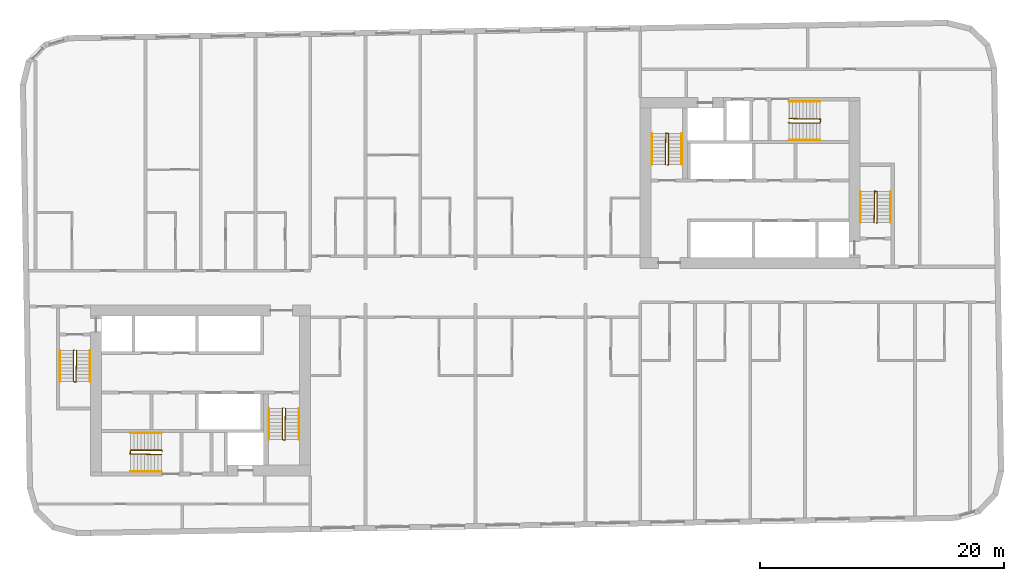
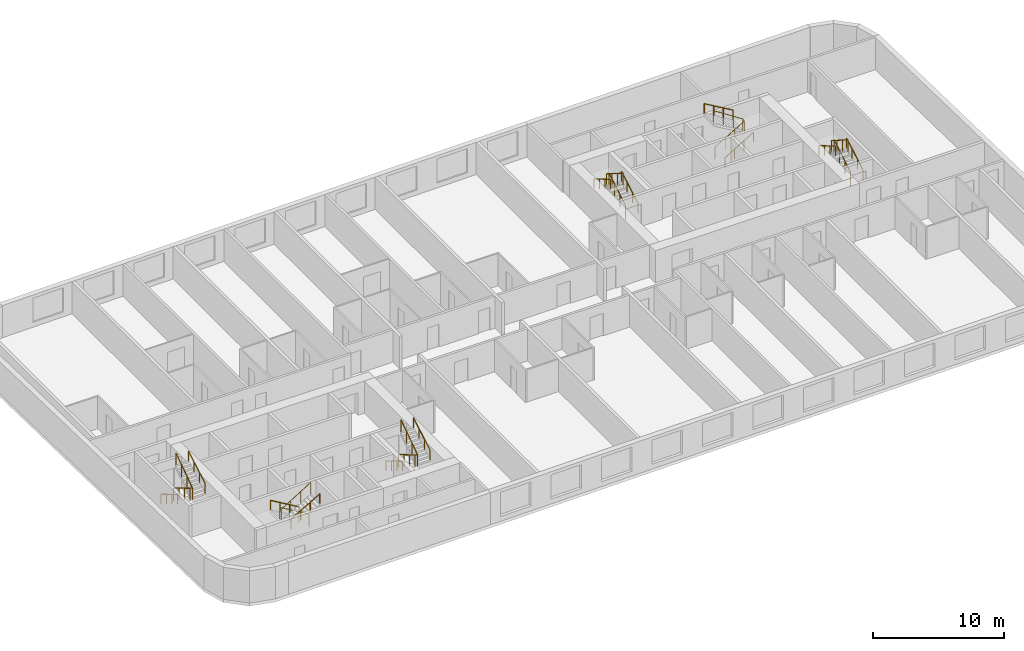
# One storey, part 11 of 11: 18 railings.
"""IFC4 building model written with IfcOpenShell, lengths in metres."""

from ifc_helpers import new_model, si_unit, direction, frame, origin, origin_2d, place, context, subcontext, project, spatial, circle, extrude, material, type_object, element, save


model = new_model("IFC4")

# Units and contexts
model_context = context("Model", 3, precision=1e-05, world=origin(), true_north=direction((0.0, 1.0)))
body_context = subcontext(model_context, "Body", "Model", "MODEL_VIEW")
ifc_project = project(units=[si_unit("LENGTHUNIT", "METRE"), si_unit("AREAUNIT", "SQUARE_METRE"), si_unit("VOLUMEUNIT", "CUBIC_METRE"), si_unit("PLANEANGLEUNIT", "RADIAN"), si_unit("MASSUNIT", "GRAM", prefix="KILO")], contexts=[model_context])

# Site, building, storey
site_placement = place(None, origin())
site = spatial("IfcSite", under=ifc_project, at=site_placement, CompositionType="ELEMENT")
building_placement = place(site_placement, origin())
building = spatial("IfcBuilding", under=site, at=building_placement, Name="Kajstack Hotel Tower", CompositionType="ELEMENT")
storey_placement = place(building_placement, frame((0.0, 0.0, 254.0)))
storey = spatial("IfcBuildingStorey", under=building, at=storey_placement, Name="L63", CompositionType="ELEMENT", Elevation=254.0)

# Railings
ifc_material = material(Name="Steel S355J2", Category="steel")
railing_type_1 = type_object("IfcRailingType", Name="Stair guard 1100", PredefinedType="GUARDRAIL", material=ifc_material)
railing_1_placement = place(storey_placement, frame((-32.85009765625, -5.199951171875, 0.0)))
element("IfcRailing", 1, at=railing_1_placement, inside=storey, type_object=railing_type_1, Name="L63 W1 stair guard 1", PredefinedType="GUARDRAIL", context=body_context, shape_type="SweptSolid", body=[
    extrude(circle(Radius=0.02392578125, at=origin_2d()), frame((0.0, 0.0, 1.076171875), z_axis=(-0.277450376394, -0.278810427259, 0.919394384522), x_axis=(0.708833529934, -0.705375805398, 0.0)), (0.0, 0.0, 1.0), 0.179443359375),
    extrude(circle(Radius=0.02392578125, at=origin_2d()), frame((-0.0498046875, -0.050048828125, 1.2412109375), z_axis=(0.0, -0.861560626758, 0.507654692109), x_axis=(1.0, 0.0, 0.0)), (0.0, 0.0, 1.0), 2.925048828125),
    extrude(circle(Radius=0.02392578125, at=origin_2d()), frame((-0.0498046875, -2.570068359375, 2.72607421875), z_axis=(0.970072785993, -0.242814311512, 0.0), x_axis=(0.242814311512, 0.970072785993, 0.0)), (0.0, 0.0, 1.0), 0.2060546875),
    extrude(circle(Radius=0.02392578125, at=origin_2d()), frame((0.150146484375, -2.6201171875, 2.72607421875), z_axis=(0.016384601254, 0.84136925563, 0.540212292087), x_axis=(-0.999810440751, 0.019470042781, 0.0)), (0.0, 0.0, 1.0), 3.0546875),
    extrude(circle(Radius=0.02099609375, at=origin_2d()), origin(), (0.0, 0.0, 1.0), 1.052001953125),
    extrude(circle(Radius=0.02099609375, at=origin_2d()), frame((-0.0498046875, -0.050048828125, 0.1650390625)), (0.0, 0.0, 1.0), 1.052001953125),
    extrude(circle(Radius=0.02099609375, at=origin_2d()), frame((-0.0498046875, -0.89013671875, 0.659912109375)), (0.0, 0.0, 1.0), 1.052001953125),
    extrude(circle(Radius=0.02099609375, at=origin_2d()), frame((-0.0498046875, -1.72998046875, 1.155029296875)), (0.0, 0.0, 1.0), 1.052001953125),
    extrude(circle(Radius=0.02099609375, at=origin_2d()), frame((-0.0498046875, -2.570068359375, 1.64990234375)), (0.0, 0.0, 1.0), 1.052001953125),
    extrude(circle(Radius=0.02099609375, at=origin_2d()), frame((0.150146484375, -2.6201171875, 1.64990234375)), (0.0, 0.0, 1.0), 1.052001953125),
    extrude(circle(Radius=0.02099609375, at=origin_2d()), frame((0.166748046875, -1.763427734375, 2.199951171875)), (0.0, 0.0, 1.0), 1.052001953125),
    extrude(circle(Radius=0.02099609375, at=origin_2d()), frame((0.18359375, -0.90673828125, 2.75)), (0.0, 0.0, 1.0), 1.052001953125),
    extrude(circle(Radius=0.02099609375, at=origin_2d()), frame((0.2001953125, -0.050048828125, 3.300048828125)), (0.0, 0.0, 1.0), 1.052001953125),
])
railing_2_placement = place(storey_placement, frame((-15.75, -9.949951171875, 0.0)))
element("IfcRailing", 2, at=railing_2_placement, inside=storey, type_object=railing_type_1, Name="L63 W2 stair guard 1", PredefinedType="GUARDRAIL", context=body_context, shape_type="SweptSolid", body=[
    extrude(circle(Radius=0.02392578125, at=origin_2d()), frame((0.0, 0.0, 1.076171875), z_axis=(-0.278705021027, -0.278705021027, 0.919046801044), x_axis=(0.707106781187, -0.707106781187, 0.0)), (0.0, 0.0, 1.0), 0.1796875),
    extrude(circle(Radius=0.02392578125, at=origin_2d()), frame((-0.050048828125, -0.050048828125, 1.2412109375), z_axis=(0.0, -0.861560626758, 0.507654692109), x_axis=(1.0, 0.0, 0.0)), (0.0, 0.0, 1.0), 2.925048828125),
    extrude(circle(Radius=0.02392578125, at=origin_2d()), frame((-0.050048828125, -2.570068359375, 2.72607421875), z_axis=(0.970072785993, -0.242814311512, 0.0), x_axis=(0.242814311512, 0.970072785993, 0.0)), (0.0, 0.0, 1.0), 0.2060546875),
    extrude(circle(Radius=0.02392578125, at=origin_2d()), frame((0.14990234375, -2.6201171875, 2.72607421875), z_axis=(0.016384601254, 0.84136925563, 0.540212292087), x_axis=(-0.999810440751, 0.019470042781, 0.0)), (0.0, 0.0, 1.0), 3.0546875),
    extrude(circle(Radius=0.02099609375, at=origin_2d()), origin(), (0.0, 0.0, 1.0), 1.052001953125),
    extrude(circle(Radius=0.02099609375, at=origin_2d()), frame((-0.050048828125, -0.050048828125, 0.1650390625)), (0.0, 0.0, 1.0), 1.052001953125),
    extrude(circle(Radius=0.02099609375, at=origin_2d()), frame((-0.050048828125, -0.89013671875, 0.659912109375)), (0.0, 0.0, 1.0), 1.052001953125),
    extrude(circle(Radius=0.02099609375, at=origin_2d()), frame((-0.050048828125, -1.72998046875, 1.155029296875)), (0.0, 0.0, 1.0), 1.052001953125),
    extrude(circle(Radius=0.02099609375, at=origin_2d()), frame((-0.050048828125, -2.570068359375, 1.64990234375)), (0.0, 0.0, 1.0), 1.052001953125),
    extrude(circle(Radius=0.02099609375, at=origin_2d()), frame((0.14990234375, -2.6201171875, 1.64990234375)), (0.0, 0.0, 1.0), 1.052001953125),
    extrude(circle(Radius=0.02099609375, at=origin_2d()), frame((0.16650390625, -1.763427734375, 2.199951171875)), (0.0, 0.0, 1.0), 1.052001953125),
    extrude(circle(Radius=0.02099609375, at=origin_2d()), frame((0.183349609375, -0.90673828125, 2.75)), (0.0, 0.0, 1.0), 1.052001953125),
    extrude(circle(Radius=0.02099609375, at=origin_2d()), frame((0.199951171875, -0.050048828125, 3.300048828125)), (0.0, 0.0, 1.0), 1.052001953125),
])
railing_3_placement = place(storey_placement, frame((-25.64990234375, -13.449951171875, 0.0)))
element("IfcRailing", 3, at=railing_3_placement, inside=storey, type_object=railing_type_1, Name="L63 W3 stair guard 1", PredefinedType="GUARDRAIL", context=body_context, shape_type="SweptSolid", body=[
    extrude(circle(Radius=0.02392578125, at=origin_2d()), frame((0.0, 0.0, 1.076171875), z_axis=(-0.278705021027, 0.278705021027, 0.919046801044), x_axis=(-0.707106781187, -0.707106781187, 0.0)), (0.0, 0.0, 1.0), 0.1796875),
    extrude(circle(Radius=0.02392578125, at=origin_2d()), frame((-0.050048828125, 0.050048828125, 1.2412109375), z_axis=(-0.861560626758, 0.0, 0.507654692109), x_axis=(0.0, -1.0, 0.0)), (0.0, 0.0, 1.0), 2.925048828125),
    extrude(circle(Radius=0.02392578125, at=origin_2d()), frame((-2.570068359375, 0.050048828125, 2.72607421875), z_axis=(-0.164529134168, -0.986372223864, 0.0), x_axis=(0.986372223864, -0.164529134168, 0.0)), (0.0, 0.0, 1.0), 0.30419921875),
    extrude(circle(Radius=0.02392578125, at=origin_2d()), frame((-2.6201171875, -0.25, 2.72607421875), z_axis=(0.84136925563, -0.016384601254, 0.540212292087), x_axis=(0.019470042781, 0.999810440751, 0.0)), (0.0, 0.0, 1.0), 3.0546875),
    extrude(circle(Radius=0.02099609375, at=origin_2d()), origin(), (0.0, 0.0, 1.0), 1.052001953125),
    extrude(circle(Radius=0.02099609375, at=origin_2d()), frame((-0.050048828125, 0.050048828125, 0.1650390625)), (0.0, 0.0, 1.0), 1.052001953125),
    extrude(circle(Radius=0.02099609375, at=origin_2d()), frame((-0.89013671875, 0.050048828125, 0.659912109375)), (0.0, 0.0, 1.0), 1.052001953125),
    extrude(circle(Radius=0.02099609375, at=origin_2d()), frame((-1.72998046875, 0.050048828125, 1.155029296875)), (0.0, 0.0, 1.0), 1.052001953125),
    extrude(circle(Radius=0.02099609375, at=origin_2d()), frame((-2.570068359375, 0.050048828125, 1.64990234375)), (0.0, 0.0, 1.0), 1.052001953125),
    extrude(circle(Radius=0.02099609375, at=origin_2d()), frame((-2.6201171875, -0.25, 1.64990234375)), (0.0, 0.0, 1.0), 1.052001953125),
    extrude(circle(Radius=0.02099609375, at=origin_2d()), frame((-1.763427734375, -0.2666015625, 2.199951171875)), (0.0, 0.0, 1.0), 1.052001953125),
    extrude(circle(Radius=0.02099609375, at=origin_2d()), frame((-0.90673828125, -0.283447265625, 2.75)), (0.0, 0.0, 1.0), 1.052001953125),
    extrude(circle(Radius=0.02099609375, at=origin_2d()), frame((-0.050048828125, -0.300048828125, 3.300048828125)), (0.0, 0.0, 1.0), 1.052001953125),
])
railing_4_placement = place(storey_placement, frame((32.85009765625, 5.199951171875, 0.0)))
element("IfcRailing", 4, at=railing_4_placement, inside=storey, type_object=railing_type_1, Name="L63 E1 stair guard 1", PredefinedType="GUARDRAIL", context=body_context, shape_type="SweptSolid", body=[
    extrude(circle(Radius=0.02392578125, at=origin_2d()), frame((0.0, 0.0, 1.076171875), z_axis=(0.277450376394, 0.278810427259, 0.919394384522), x_axis=(-0.708833529934, 0.705375805398, 0.0)), (0.0, 0.0, 1.0), 0.179443359375),
    extrude(circle(Radius=0.02392578125, at=origin_2d()), frame((0.0498046875, 0.050048828125, 1.2412109375), z_axis=(0.0, 0.861560626758, 0.507654692109), x_axis=(-1.0, 0.0, 0.0)), (0.0, 0.0, 1.0), 2.925048828125),
    extrude(circle(Radius=0.02392578125, at=origin_2d()), frame((0.0498046875, 2.570068359375, 2.72607421875), z_axis=(-0.970072785993, 0.242814311512, 0.0), x_axis=(-0.242814311512, -0.970072785993, 0.0)), (0.0, 0.0, 1.0), 0.2060546875),
    extrude(circle(Radius=0.02392578125, at=origin_2d()), frame((-0.150146484375, 2.6201171875, 2.72607421875), z_axis=(-0.016384601254, -0.84136925563, 0.540212292087), x_axis=(0.999810440751, -0.019470042781, 0.0)), (0.0, 0.0, 1.0), 3.0546875),
    extrude(circle(Radius=0.02099609375, at=origin_2d()), origin(), (0.0, 0.0, 1.0), 1.052001953125),
    extrude(circle(Radius=0.02099609375, at=origin_2d()), frame((0.0498046875, 0.050048828125, 0.1650390625)), (0.0, 0.0, 1.0), 1.052001953125),
    extrude(circle(Radius=0.02099609375, at=origin_2d()), frame((0.0498046875, 0.89013671875, 0.659912109375)), (0.0, 0.0, 1.0), 1.052001953125),
    extrude(circle(Radius=0.02099609375, at=origin_2d()), frame((0.0498046875, 1.72998046875, 1.155029296875)), (0.0, 0.0, 1.0), 1.052001953125),
    extrude(circle(Radius=0.02099609375, at=origin_2d()), frame((0.0498046875, 2.570068359375, 1.64990234375)), (0.0, 0.0, 1.0), 1.052001953125),
    extrude(circle(Radius=0.02099609375, at=origin_2d()), frame((-0.150146484375, 2.6201171875, 1.64990234375)), (0.0, 0.0, 1.0), 1.052001953125),
    extrude(circle(Radius=0.02099609375, at=origin_2d()), frame((-0.166748046875, 1.763427734375, 2.199951171875)), (0.0, 0.0, 1.0), 1.052001953125),
    extrude(circle(Radius=0.02099609375, at=origin_2d()), frame((-0.18359375, 0.90673828125, 2.75)), (0.0, 0.0, 1.0), 1.052001953125),
    extrude(circle(Radius=0.02099609375, at=origin_2d()), frame((-0.2001953125, 0.050048828125, 3.300048828125)), (0.0, 0.0, 1.0), 1.052001953125),
])
railing_5_placement = place(storey_placement, frame((15.75, 9.949951171875, 0.0)))
element("IfcRailing", 5, at=railing_5_placement, inside=storey, type_object=railing_type_1, Name="L63 E2 stair guard 1", PredefinedType="GUARDRAIL", context=body_context, shape_type="SweptSolid", body=[
    extrude(circle(Radius=0.02392578125, at=origin_2d()), frame((0.0, 0.0, 1.076171875), z_axis=(0.278705021027, 0.278705021027, 0.919046801044), x_axis=(-0.707106781187, 0.707106781187, 0.0)), (0.0, 0.0, 1.0), 0.1796875),
    extrude(circle(Radius=0.02392578125, at=origin_2d()), frame((0.050048828125, 0.050048828125, 1.2412109375), z_axis=(0.0, 0.861560626758, 0.507654692109), x_axis=(-1.0, 0.0, 0.0)), (0.0, 0.0, 1.0), 2.925048828125),
    extrude(circle(Radius=0.02392578125, at=origin_2d()), frame((0.050048828125, 2.570068359375, 2.72607421875), z_axis=(-0.970072785993, 0.242814311512, 0.0), x_axis=(-0.242814311512, -0.970072785993, 0.0)), (0.0, 0.0, 1.0), 0.2060546875),
    extrude(circle(Radius=0.02392578125, at=origin_2d()), frame((-0.14990234375, 2.6201171875, 2.72607421875), z_axis=(-0.016384601254, -0.84136925563, 0.540212292087), x_axis=(0.999810440751, -0.019470042781, 0.0)), (0.0, 0.0, 1.0), 3.0546875),
    extrude(circle(Radius=0.02099609375, at=origin_2d()), origin(), (0.0, 0.0, 1.0), 1.052001953125),
    extrude(circle(Radius=0.02099609375, at=origin_2d()), frame((0.050048828125, 0.050048828125, 0.1650390625)), (0.0, 0.0, 1.0), 1.052001953125),
    extrude(circle(Radius=0.02099609375, at=origin_2d()), frame((0.050048828125, 0.89013671875, 0.659912109375)), (0.0, 0.0, 1.0), 1.052001953125),
    extrude(circle(Radius=0.02099609375, at=origin_2d()), frame((0.050048828125, 1.72998046875, 1.155029296875)), (0.0, 0.0, 1.0), 1.052001953125),
    extrude(circle(Radius=0.02099609375, at=origin_2d()), frame((0.050048828125, 2.570068359375, 1.64990234375)), (0.0, 0.0, 1.0), 1.052001953125),
    extrude(circle(Radius=0.02099609375, at=origin_2d()), frame((-0.14990234375, 2.6201171875, 1.64990234375)), (0.0, 0.0, 1.0), 1.052001953125),
    extrude(circle(Radius=0.02099609375, at=origin_2d()), frame((-0.16650390625, 1.763427734375, 2.199951171875)), (0.0, 0.0, 1.0), 1.052001953125),
    extrude(circle(Radius=0.02099609375, at=origin_2d()), frame((-0.183349609375, 0.90673828125, 2.75)), (0.0, 0.0, 1.0), 1.052001953125),
    extrude(circle(Radius=0.02099609375, at=origin_2d()), frame((-0.199951171875, 0.050048828125, 3.300048828125)), (0.0, 0.0, 1.0), 1.052001953125),
])
railing_6_placement = place(storey_placement, frame((25.64990234375, 13.449951171875, 0.0)))
element("IfcRailing", 6, at=railing_6_placement, inside=storey, type_object=railing_type_1, Name="L63 E3 stair guard 1", PredefinedType="GUARDRAIL", context=body_context, shape_type="SweptSolid", body=[
    extrude(circle(Radius=0.02392578125, at=origin_2d()), frame((0.0, 0.0, 1.076171875), z_axis=(0.278705021027, -0.278705021027, 0.919046801044), x_axis=(0.707106781187, 0.707106781187, 0.0)), (0.0, 0.0, 1.0), 0.1796875),
    extrude(circle(Radius=0.02392578125, at=origin_2d()), frame((0.050048828125, -0.050048828125, 1.2412109375), z_axis=(0.861560626758, 0.0, 0.507654692109), x_axis=(0.0, 1.0, 0.0)), (0.0, 0.0, 1.0), 2.925048828125),
    extrude(circle(Radius=0.02392578125, at=origin_2d()), frame((2.570068359375, -0.050048828125, 2.72607421875), z_axis=(0.164529134168, 0.986372223864, 0.0), x_axis=(-0.986372223864, 0.164529134168, 0.0)), (0.0, 0.0, 1.0), 0.30419921875),
    extrude(circle(Radius=0.02392578125, at=origin_2d()), frame((2.6201171875, 0.25, 2.72607421875), z_axis=(-0.84136925563, 0.016384601254, 0.540212292087), x_axis=(-0.019470042781, -0.999810440751, 0.0)), (0.0, 0.0, 1.0), 3.0546875),
    extrude(circle(Radius=0.02099609375, at=origin_2d()), origin(), (0.0, 0.0, 1.0), 1.052001953125),
    extrude(circle(Radius=0.02099609375, at=origin_2d()), frame((0.050048828125, -0.050048828125, 0.1650390625)), (0.0, 0.0, 1.0), 1.052001953125),
    extrude(circle(Radius=0.02099609375, at=origin_2d()), frame((0.89013671875, -0.050048828125, 0.659912109375)), (0.0, 0.0, 1.0), 1.052001953125),
    extrude(circle(Radius=0.02099609375, at=origin_2d()), frame((1.72998046875, -0.050048828125, 1.155029296875)), (0.0, 0.0, 1.0), 1.052001953125),
    extrude(circle(Radius=0.02099609375, at=origin_2d()), frame((2.570068359375, -0.050048828125, 1.64990234375)), (0.0, 0.0, 1.0), 1.052001953125),
    extrude(circle(Radius=0.02099609375, at=origin_2d()), frame((2.6201171875, 0.25, 1.64990234375)), (0.0, 0.0, 1.0), 1.052001953125),
    extrude(circle(Radius=0.02099609375, at=origin_2d()), frame((1.763427734375, 0.2666015625, 2.199951171875)), (0.0, 0.0, 1.0), 1.052001953125),
    extrude(circle(Radius=0.02099609375, at=origin_2d()), frame((0.90673828125, 0.283447265625, 2.75)), (0.0, 0.0, 1.0), 1.052001953125),
    extrude(circle(Radius=0.02099609375, at=origin_2d()), frame((0.050048828125, 0.300048828125, 3.300048828125)), (0.0, 0.0, 1.0), 1.052001953125),
])
railing_type_2 = type_object("IfcRailingType", Name="Stair handrail 900", PredefinedType="HANDRAIL", material=ifc_material)
railing_7_placement = place(storey_placement, frame((-34.0, -5.25, 0.1650390625)))
element("IfcRailing", 7, at=railing_7_placement, inside=storey, type_object=railing_type_2, Name="L63 W1 stair handrail 1", PredefinedType="HANDRAIL", context=body_context, shape_type="SweptSolid", body=[
    extrude(circle(Radius=0.02392578125, at=origin_2d()), frame((0.0, 0.0, 0.8759765625), z_axis=(0.0, -0.861560626758, 0.507654692109), x_axis=(1.0, 0.0, 0.0)), (0.0, 0.0, 1.0), 2.925048828125),
    extrude(circle(Radius=0.02099609375, at=origin_2d()), origin(), (0.0, 0.0, 1.0), 0.851806640625),
    extrude(circle(Radius=0.02099609375, at=origin_2d()), frame((0.0, -0.840087890625, 0.494873046875)), (0.0, 0.0, 1.0), 0.851806640625),
    extrude(circle(Radius=0.02099609375, at=origin_2d()), frame((0.0, -1.679931640625, 0.989990234375)), (0.0, 0.0, 1.0), 0.851806640625),
    extrude(circle(Radius=0.02099609375, at=origin_2d()), frame((0.0, -2.52001953125, 1.48486328125)), (0.0, 0.0, 1.0), 0.851806640625),
])
railing_8_placement = place(storey_placement, frame((-31.550048828125, -7.77001953125, 1.81494140625)))
element("IfcRailing", 8, at=railing_8_placement, inside=storey, type_object=railing_type_2, Name="L63 W1 stair handrail 2", PredefinedType="HANDRAIL", context=body_context, shape_type="SweptSolid", body=[
    extrude(circle(Radius=0.02392578125, at=origin_2d()), frame((0.0, 0.0, 0.8759765625), z_axis=(0.0, 0.86152411907, 0.507716645641), x_axis=(-1.0, 0.0, 0.0)), (0.0, 0.0, 1.0), 2.925048828125),
    extrude(circle(Radius=0.02099609375, at=origin_2d()), origin(), (0.0, 0.0, 1.0), 0.851806640625),
    extrude(circle(Radius=0.02099609375, at=origin_2d()), frame((0.0, 0.840087890625, 0.4951171875)), (0.0, 0.0, 1.0), 0.851806640625),
    extrude(circle(Radius=0.02099609375, at=origin_2d()), frame((0.0, 1.679931640625, 0.989990234375)), (0.0, 0.0, 1.0), 0.851806640625),
    extrude(circle(Radius=0.02099609375, at=origin_2d()), frame((0.0, 2.52001953125, 1.485107421875)), (0.0, 0.0, 1.0), 0.851806640625),
])
railing_9_placement = place(storey_placement, frame((-16.89990234375, -10.0, 0.1650390625)))
element("IfcRailing", 9, at=railing_9_placement, inside=storey, type_object=railing_type_2, Name="L63 W2 stair handrail 1", PredefinedType="HANDRAIL", context=body_context, shape_type="SweptSolid", body=[
    extrude(circle(Radius=0.02392578125, at=origin_2d()), frame((0.0, 0.0, 0.8759765625), z_axis=(0.0, -0.861560626758, 0.507654692109), x_axis=(1.0, 0.0, 0.0)), (0.0, 0.0, 1.0), 2.925048828125),
    extrude(circle(Radius=0.02099609375, at=origin_2d()), origin(), (0.0, 0.0, 1.0), 0.851806640625),
    extrude(circle(Radius=0.02099609375, at=origin_2d()), frame((0.0, -0.840087890625, 0.494873046875)), (0.0, 0.0, 1.0), 0.851806640625),
    extrude(circle(Radius=0.02099609375, at=origin_2d()), frame((0.0, -1.679931640625, 0.989990234375)), (0.0, 0.0, 1.0), 0.851806640625),
    extrude(circle(Radius=0.02099609375, at=origin_2d()), frame((0.0, -2.52001953125, 1.48486328125)), (0.0, 0.0, 1.0), 0.851806640625),
])
railing_10_placement = place(storey_placement, frame((-14.449951171875, -12.52001953125, 1.81494140625)))
element("IfcRailing", 10, at=railing_10_placement, inside=storey, type_object=railing_type_2, Name="L63 W2 stair handrail 2", PredefinedType="HANDRAIL", context=body_context, shape_type="SweptSolid", body=[
    extrude(circle(Radius=0.02392578125, at=origin_2d()), frame((0.0, 0.0, 0.8759765625), z_axis=(0.0, 0.86152411907, 0.507716645641), x_axis=(-1.0, 0.0, 0.0)), (0.0, 0.0, 1.0), 2.925048828125),
    extrude(circle(Radius=0.02099609375, at=origin_2d()), origin(), (0.0, 0.0, 1.0), 0.851806640625),
    extrude(circle(Radius=0.02099609375, at=origin_2d()), frame((0.0, 0.840087890625, 0.4951171875)), (0.0, 0.0, 1.0), 0.851806640625),
    extrude(circle(Radius=0.02099609375, at=origin_2d()), frame((0.0, 1.679931640625, 0.989990234375)), (0.0, 0.0, 1.0), 0.851806640625),
    extrude(circle(Radius=0.02099609375, at=origin_2d()), frame((0.0, 2.52001953125, 1.485107421875)), (0.0, 0.0, 1.0), 0.851806640625),
])
railing_11_placement = place(storey_placement, frame((-25.699951171875, -12.0, 0.1650390625)))
element("IfcRailing", 11, at=railing_11_placement, inside=storey, type_object=railing_type_2, Name="L63 W3 stair handrail 1", PredefinedType="HANDRAIL", context=body_context, shape_type="SweptSolid", body=[
    extrude(circle(Radius=0.02392578125, at=origin_2d()), frame((0.0, 0.0, 0.8759765625), z_axis=(-0.861560626758, 0.0, 0.507654692109), x_axis=(0.0, -1.0, 0.0)), (0.0, 0.0, 1.0), 2.925048828125),
    extrude(circle(Radius=0.02099609375, at=origin_2d()), origin(), (0.0, 0.0, 1.0), 0.851806640625),
    extrude(circle(Radius=0.02099609375, at=origin_2d()), frame((-0.840087890625, 0.0, 0.494873046875)), (0.0, 0.0, 1.0), 0.851806640625),
    extrude(circle(Radius=0.02099609375, at=origin_2d()), frame((-1.679931640625, 0.0, 0.989990234375)), (0.0, 0.0, 1.0), 0.851806640625),
    extrude(circle(Radius=0.02099609375, at=origin_2d()), frame((-2.52001953125, 0.0, 1.48486328125)), (0.0, 0.0, 1.0), 0.851806640625),
])
railing_12_placement = place(storey_placement, frame((-28.219970703125, -15.14990234375, 1.81494140625)))
element("IfcRailing", 12, at=railing_12_placement, inside=storey, type_object=railing_type_2, Name="L63 W3 stair handrail 2", PredefinedType="HANDRAIL", context=body_context, shape_type="SweptSolid", body=[
    extrude(circle(Radius=0.02392578125, at=origin_2d()), frame((0.0, 0.0, 0.8759765625), z_axis=(0.86152411907, 0.0, 0.507716645641), x_axis=(0.0, 1.0, 0.0)), (0.0, 0.0, 1.0), 2.925048828125),
    extrude(circle(Radius=0.02099609375, at=origin_2d()), origin(), (0.0, 0.0, 1.0), 0.851806640625),
    extrude(circle(Radius=0.02099609375, at=origin_2d()), frame((0.840087890625, 0.0, 0.4951171875)), (0.0, 0.0, 1.0), 0.851806640625),
    extrude(circle(Radius=0.02099609375, at=origin_2d()), frame((1.679931640625, 0.0, 0.989990234375)), (0.0, 0.0, 1.0), 0.851806640625),
    extrude(circle(Radius=0.02099609375, at=origin_2d()), frame((2.52001953125, 0.0, 1.485107421875)), (0.0, 0.0, 1.0), 0.851806640625),
])
railing_13_placement = place(storey_placement, frame((34.0, 5.25, 0.1650390625)))
element("IfcRailing", 13, at=railing_13_placement, inside=storey, type_object=railing_type_2, Name="L63 E1 stair handrail 1", PredefinedType="HANDRAIL", context=body_context, shape_type="SweptSolid", body=[
    extrude(circle(Radius=0.02392578125, at=origin_2d()), frame((0.0, 0.0, 0.8759765625), z_axis=(0.0, 0.861560626758, 0.507654692109), x_axis=(-1.0, 0.0, 0.0)), (0.0, 0.0, 1.0), 2.925048828125),
    extrude(circle(Radius=0.02099609375, at=origin_2d()), origin(), (0.0, 0.0, 1.0), 0.851806640625),
    extrude(circle(Radius=0.02099609375, at=origin_2d()), frame((0.0, 0.840087890625, 0.494873046875)), (0.0, 0.0, 1.0), 0.851806640625),
    extrude(circle(Radius=0.02099609375, at=origin_2d()), frame((0.0, 1.679931640625, 0.989990234375)), (0.0, 0.0, 1.0), 0.851806640625),
    extrude(circle(Radius=0.02099609375, at=origin_2d()), frame((0.0, 2.52001953125, 1.48486328125)), (0.0, 0.0, 1.0), 0.851806640625),
])
railing_14_placement = place(storey_placement, frame((31.550048828125, 7.77001953125, 1.81494140625)))
element("IfcRailing", 14, at=railing_14_placement, inside=storey, type_object=railing_type_2, Name="L63 E1 stair handrail 2", PredefinedType="HANDRAIL", context=body_context, shape_type="SweptSolid", body=[
    extrude(circle(Radius=0.02392578125, at=origin_2d()), frame((0.0, 0.0, 0.8759765625), z_axis=(0.0, -0.86152411907, 0.507716645641), x_axis=(1.0, 0.0, 0.0)), (0.0, 0.0, 1.0), 2.925048828125),
    extrude(circle(Radius=0.02099609375, at=origin_2d()), origin(), (0.0, 0.0, 1.0), 0.851806640625),
    extrude(circle(Radius=0.02099609375, at=origin_2d()), frame((0.0, -0.840087890625, 0.4951171875)), (0.0, 0.0, 1.0), 0.851806640625),
    extrude(circle(Radius=0.02099609375, at=origin_2d()), frame((0.0, -1.679931640625, 0.989990234375)), (0.0, 0.0, 1.0), 0.851806640625),
    extrude(circle(Radius=0.02099609375, at=origin_2d()), frame((0.0, -2.52001953125, 1.485107421875)), (0.0, 0.0, 1.0), 0.851806640625),
])
railing_15_placement = place(storey_placement, frame((16.89990234375, 10.0, 0.1650390625)))
element("IfcRailing", 15, at=railing_15_placement, inside=storey, type_object=railing_type_2, Name="L63 E2 stair handrail 1", PredefinedType="HANDRAIL", context=body_context, shape_type="SweptSolid", body=[
    extrude(circle(Radius=0.02392578125, at=origin_2d()), frame((0.0, 0.0, 0.8759765625), z_axis=(0.0, 0.861560626758, 0.507654692109), x_axis=(-1.0, 0.0, 0.0)), (0.0, 0.0, 1.0), 2.925048828125),
    extrude(circle(Radius=0.02099609375, at=origin_2d()), origin(), (0.0, 0.0, 1.0), 0.851806640625),
    extrude(circle(Radius=0.02099609375, at=origin_2d()), frame((0.0, 0.840087890625, 0.494873046875)), (0.0, 0.0, 1.0), 0.851806640625),
    extrude(circle(Radius=0.02099609375, at=origin_2d()), frame((0.0, 1.679931640625, 0.989990234375)), (0.0, 0.0, 1.0), 0.851806640625),
    extrude(circle(Radius=0.02099609375, at=origin_2d()), frame((0.0, 2.52001953125, 1.48486328125)), (0.0, 0.0, 1.0), 0.851806640625),
])
railing_16_placement = place(storey_placement, frame((14.449951171875, 12.52001953125, 1.81494140625)))
element("IfcRailing", 16, at=railing_16_placement, inside=storey, type_object=railing_type_2, Name="L63 E2 stair handrail 2", PredefinedType="HANDRAIL", context=body_context, shape_type="SweptSolid", body=[
    extrude(circle(Radius=0.02392578125, at=origin_2d()), frame((0.0, 0.0, 0.8759765625), z_axis=(0.0, -0.86152411907, 0.507716645641), x_axis=(1.0, 0.0, 0.0)), (0.0, 0.0, 1.0), 2.925048828125),
    extrude(circle(Radius=0.02099609375, at=origin_2d()), origin(), (0.0, 0.0, 1.0), 0.851806640625),
    extrude(circle(Radius=0.02099609375, at=origin_2d()), frame((0.0, -0.840087890625, 0.4951171875)), (0.0, 0.0, 1.0), 0.851806640625),
    extrude(circle(Radius=0.02099609375, at=origin_2d()), frame((0.0, -1.679931640625, 0.989990234375)), (0.0, 0.0, 1.0), 0.851806640625),
    extrude(circle(Radius=0.02099609375, at=origin_2d()), frame((0.0, -2.52001953125, 1.485107421875)), (0.0, 0.0, 1.0), 0.851806640625),
])
railing_17_placement = place(storey_placement, frame((25.699951171875, 12.0, 0.1650390625)))
element("IfcRailing", 17, at=railing_17_placement, inside=storey, type_object=railing_type_2, Name="L63 E3 stair handrail 1", PredefinedType="HANDRAIL", context=body_context, shape_type="SweptSolid", body=[
    extrude(circle(Radius=0.02392578125, at=origin_2d()), frame((0.0, 0.0, 0.8759765625), z_axis=(0.861560626758, 0.0, 0.507654692109), x_axis=(0.0, 1.0, 0.0)), (0.0, 0.0, 1.0), 2.925048828125),
    extrude(circle(Radius=0.02099609375, at=origin_2d()), origin(), (0.0, 0.0, 1.0), 0.851806640625),
    extrude(circle(Radius=0.02099609375, at=origin_2d()), frame((0.840087890625, 0.0, 0.494873046875)), (0.0, 0.0, 1.0), 0.851806640625),
    extrude(circle(Radius=0.02099609375, at=origin_2d()), frame((1.679931640625, 0.0, 0.989990234375)), (0.0, 0.0, 1.0), 0.851806640625),
    extrude(circle(Radius=0.02099609375, at=origin_2d()), frame((2.52001953125, 0.0, 1.48486328125)), (0.0, 0.0, 1.0), 0.851806640625),
])
railing_18_placement = place(storey_placement, frame((28.219970703125, 15.14990234375, 1.81494140625)))
element("IfcRailing", 18, at=railing_18_placement, inside=storey, type_object=railing_type_2, Name="L63 E3 stair handrail 2", PredefinedType="HANDRAIL", context=body_context, shape_type="SweptSolid", body=[
    extrude(circle(Radius=0.02392578125, at=origin_2d()), frame((0.0, 0.0, 0.8759765625), z_axis=(-0.86152411907, 0.0, 0.507716645641), x_axis=(0.0, -1.0, 0.0)), (0.0, 0.0, 1.0), 2.925048828125),
    extrude(circle(Radius=0.02099609375, at=origin_2d()), origin(), (0.0, 0.0, 1.0), 0.851806640625),
    extrude(circle(Radius=0.02099609375, at=origin_2d()), frame((-0.840087890625, 0.0, 0.4951171875)), (0.0, 0.0, 1.0), 0.851806640625),
    extrude(circle(Radius=0.02099609375, at=origin_2d()), frame((-1.679931640625, 0.0, 0.989990234375)), (0.0, 0.0, 1.0), 0.851806640625),
    extrude(circle(Radius=0.02099609375, at=origin_2d()), frame((-2.52001953125, 0.0, 1.485107421875)), (0.0, 0.0, 1.0), 0.851806640625),
])

save(model, "model.ifc")
